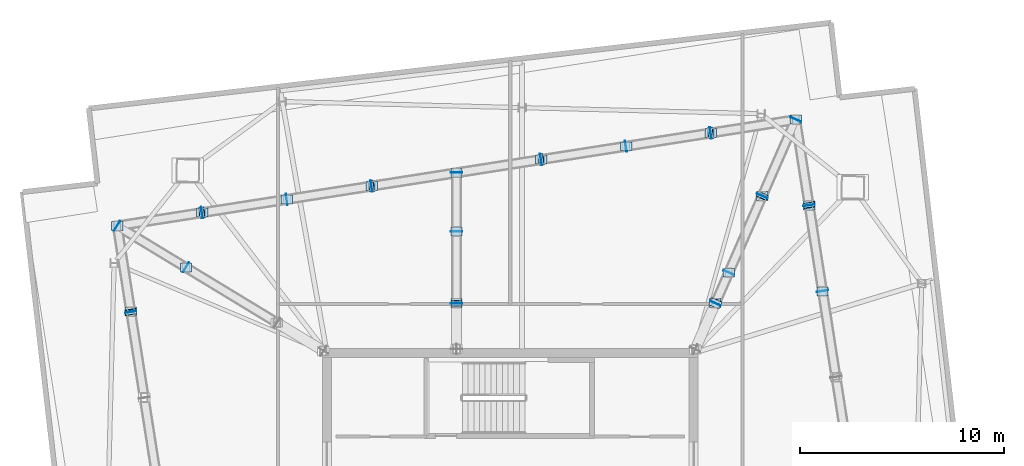
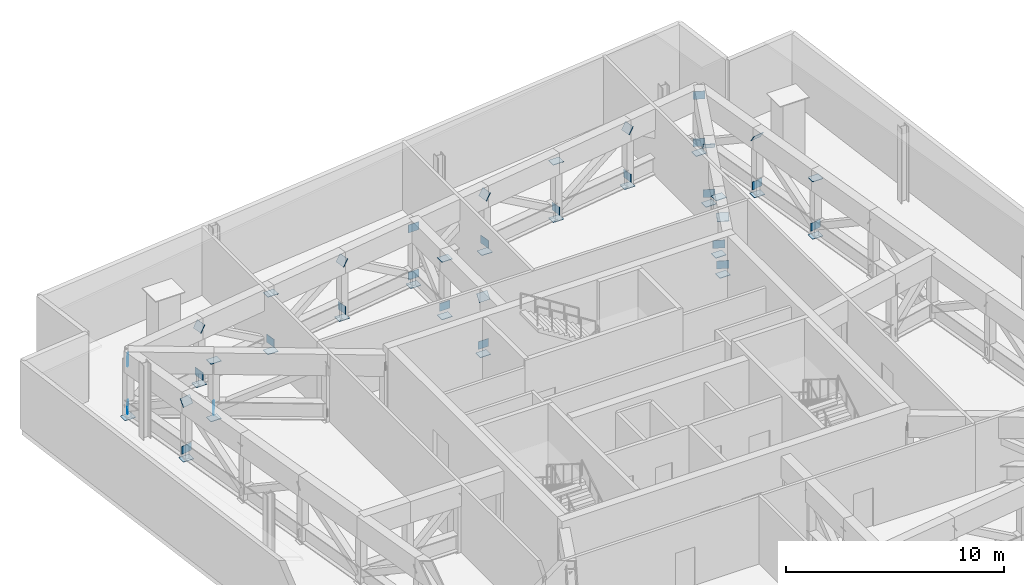
# One storey, part 8 of 13: 54 plates.
"""IFC4 building model written with IfcOpenShell, lengths in metres."""

from ifc_helpers import new_model, si_unit, direction, frame, origin, origin_2d, place, context, subcontext, project, spatial, rectangle, extrude, source, transform, mapped, material, layer, layer_set, type_object, element, save


model = new_model("IFC4")

# Units and contexts
model_context = context("Model", 3, precision=1e-05, world=origin(), true_north=direction((0.0, 1.0)))
body_context = subcontext(model_context, "Body", "Model", "MODEL_VIEW")
ifc_project = project(units=[si_unit("LENGTHUNIT", "METRE"), si_unit("AREAUNIT", "SQUARE_METRE"), si_unit("VOLUMEUNIT", "CUBIC_METRE"), si_unit("PLANEANGLEUNIT", "RADIAN"), si_unit("MASSUNIT", "GRAM", prefix="KILO")], contexts=[model_context])

# Site, building, storey
site_placement = place(None, origin())
site = spatial("IfcSite", under=ifc_project, at=site_placement, CompositionType="ELEMENT")
building_placement = place(site_placement, origin())
building = spatial("IfcBuilding", under=site, at=building_placement, Name="Haldenkirk Collegiate Tower", CompositionType="ELEMENT")
storey_placement = place(building_placement, frame((0.0, 0.0, 352.199951171875)))
storey = spatial("IfcBuildingStorey", under=building, at=storey_placement, Name="L89", CompositionType="ELEMENT", Elevation=352.199951171875)

# Plates
ifc_material = material(Name="Steel ASTM A572 Grade 50", Category="steel")
ifc_layer = layer(ifc_material, 0.028076171875)
ifc_layer_set = layer_set([ifc_layer], Name="Steel ASTM A572 Grade 50")
plate_type = type_object("IfcPlateType", Name="PLT-CAP-INT-560X440", PredefinedType="USERDEFINED", material=ifc_layer_set)
shared_shape = source(origin(), body_context, "Body", "SweptSolid", [
    extrude(rectangle(XDim=0.56005859375, YDim=0.43994140625, at=origin_2d()), origin(), (0.0, 0.0, 1.0), 0.028076171875),
])
for number, where, z_axis, x_axis, name in (
    (1, (46.072998046875, 36.452880859375, 0.550048828125), (-0.400762911974, -0.916181798764, 0.0), (0.916181798764, -0.400762911974, 0.0), "Outrigger Truss L89-3 bottom chord 2 end plate 1"),
    (2, (46.721923828125, 37.9365234375, 0.550048828125), (0.400762911974, 0.916181798764, 0.0), (-0.916181798764, 0.400762911974, 0.0), "Outrigger Truss L89-3 bottom chord 2 end plate 2"),
    (3, (46.072509765625, 36.451416015625, 3.197509765625), (-0.209531983222, -0.47905496164, 0.852409931744), (0.916195372761, -0.400731879105, -4.24091e-07), "Outrigger Truss L89-3 web diagonal 2 end cap plate 1"),
    (4, (48.364990234375, 41.692626953125, 0.550048828125), (0.400762911974, 0.916181798764, 0.0), (-0.916181798764, 0.400762911974, 0.0), "Outrigger Truss L89-3 bottom chord 3 end plate 2"),
    (5, (48.365478515625, 41.693359375, 3.198486328125), (0.336581008623, 0.769440019713, 0.542840013907), (-0.916178755051, 0.400769870116, -1.3463e-08), "Outrigger Truss L89-3 web diagonal 3 end cap plate 2"),
    (6, (50.008056640625, 45.44873046875, 3.199951171875), (0.400758820072, 0.916183588663, 0.0), (-0.916183588663, 0.400758820072, 0.0), "Outrigger Truss L89-3 top chord 4 end cap plate 2"),
    (7, (50.008056640625, 45.44873046875, 0.550048828125), (0.400762911974, 0.916181798764, 0.0), (-0.916181798764, 0.400762911974, 0.0), "Outrigger Truss L89-3 bottom chord 4 end plate 2"),
    (8, (46.07177734375, 36.449951171875, 0.0029296875), (0.0, 0.0, -1.0), (1.0, 0.0, 0.0), "Outrigger Truss L89-3 vertical post 2 end cap plate 1"),
    (9, (46.72314453125, 37.939208984375, 0.0029296875), (0.0, 0.0, -1.0), (1.0, 0.0, 0.0), "Outrigger Truss L89-3 vertical post 3 end cap plate 1"),
    (10, (46.72314453125, 37.939208984375, 3.19677734375), (0.0, 0.0, 1.0), (1.0, 0.0, 0.0), "Outrigger Truss L89-3 vertical post 3 end cap plate 2"),
    (11, (48.3662109375, 41.695556640625, 0.0029296875), (0.0, 0.0, -1.0), (1.0, 0.0, 0.0), "Outrigger Truss L89-3 vertical post 4 end cap plate 1"),
    (12, (50.00927734375, 45.45166015625, 0.0029296875), (0.0, 0.0, -1.0), (1.0, 0.0, 0.0), "Outrigger Truss L89-3 vertical post 5 end cap plate 1"),
    (13, (33.3623046875, 36.453125, 0.550048828125), (0.0, -1.0, 0.0), (1.0, 0.0, 0.0), "Outrigger Truss L89-4 bottom chord 2 end plate 1"),
    (14, (33.3623046875, 39.9599609375, 0.550048828125), (0.0, 1.0, 0.0), (-1.0, 0.0, 0.0), "Outrigger Truss L89-4 bottom chord 2 end plate 2"),
    (15, (33.3623046875, 36.452392578125, 3.197998046875), (0.0, -0.798341676277, 0.602204755809), (1.0, 0.0, 0.0), "Outrigger Truss L89-4 web diagonal 2 end cap plate 1"),
    (16, (33.3623046875, 42.841796875, 3.199951171875), (0.0, 1.0, 0.0), (-1.0, 0.0, 0.0), "Outrigger Truss L89-4 top chord 3 end cap plate 2"),
    (17, (33.3623046875, 42.841796875, 0.550048828125), (0.0, 1.0, 0.0), (-1.0, 0.0, 0.0), "Outrigger Truss L89-4 bottom chord 3 end plate 2"),
    (18, (33.3623046875, 36.449951171875, 0.0029296875), (0.0, 0.0, -1.0), (1.0, 0.0, 0.0), "Outrigger Truss L89-4 vertical post 2 end cap plate 1"),
    (19, (33.3623046875, 39.963134765625, 0.0029296875), (0.0, 0.0, -1.0), (1.0, 0.0, 0.0), "Outrigger Truss L89-4 vertical post 3 end cap plate 1"),
    (20, (33.3623046875, 39.963134765625, 3.19677734375), (0.0, 0.0, 1.0), (1.0, 0.0, 0.0), "Outrigger Truss L89-4 vertical post 3 end cap plate 2"),
    (21, (33.3623046875, 42.8447265625, 0.0029296875), (0.0, 0.0, -1.0), (1.0, 0.0, 0.0), "Outrigger Truss L89-4 vertical post 4 end cap plate 1"),
    (22, (20.0888671875, 38.19140625, 0.550048828125), (-0.855030507056, 0.518577701028, 0.0), (-0.518577701028, -0.855030507056, 0.0), "Outrigger Truss L89-5 bottom chord 2 end plate 2"),
    (23, (16.7177734375, 40.236083984375, 3.199951171875), (-0.855030507056, 0.518577701028, 0.0), (-0.518577701028, -0.855030507056, 0.0), "Outrigger Truss L89-5 top chord 3 end cap plate 2"),
    (24, (16.7177734375, 40.236083984375, 0.550048828125), (-0.855030507056, 0.518577701028, 0.0), (-0.518577701028, -0.855030507056, 0.0), "Outrigger Truss L89-5 bottom chord 3 end plate 2"),
    (25, (20.08642578125, 38.193115234375, 0.0029296875), (0.0, 0.0, -1.0), (1.0, 0.0, 0.0), "Outrigger Truss L89-5 vertical post 3 end cap plate 1"),
    (26, (20.08642578125, 38.193115234375, 3.19677734375), (0.0, 0.0, 1.0), (1.0, 0.0, 0.0), "Outrigger Truss L89-5 vertical post 3 end cap plate 2"),
    (27, (16.715087890625, 40.23779296875, 0.0029296875), (0.0, 0.0, -1.0), (1.0, 0.0, 0.0), "Outrigger Truss L89-5 vertical post 4 end cap plate 1"),
    (28, (51.32861328125, 37.026123046875, 0.550048828125), (-0.154709988729, 0.987959928027, 0.0), (-0.987959928027, -0.154709988729, 0.0), "Belt Truss L89-2 bottom chord 2 end plate 2"),
    (29, (50.669189453125, 41.2373046875, 0.550048828125), (-0.154709988729, 0.987959928027, 0.0), (-0.987959928027, -0.154709988729, 0.0), "Belt Truss L89-2 bottom chord 3 end plate 2"),
    (30, (50.66943359375, 41.23779296875, 3.198486328125), (-0.131378008656, 0.839032055279, 0.527982034786), (-0.987961865826, -0.154697613664, -3.89826e-07), "Belt Truss L89-2 web diagonal 3 end cap plate 2"),
    (31, (51.328125, 37.029296875, 0.0029296875), (0.0, 0.0, -1.0), (1.0, 0.0, 0.0), "Belt Truss L89-2 vertical post 3 end cap plate 1"),
    (32, (51.328125, 37.029296875, 3.19677734375), (0.0, 0.0, 1.0), (1.0, 0.0, 0.0), "Belt Truss L89-2 vertical post 3 end cap plate 2"),
    (33, (50.668701171875, 41.240478515625, 0.0029296875), (0.0, 0.0, -1.0), (1.0, 0.0, 0.0), "Belt Truss L89-2 vertical post 4 end cap plate 1"),
    (34, (45.8505859375, 44.80029296875, 0.550048828125), (-0.987959622331, -0.154711940858, 0.0), (0.154711940858, -0.987959622331, 0.0), "Belt Truss L89-3 bottom chord 1 end plate 2"),
    (35, (45.85009765625, 44.800537109375, 3.198486328125), (-0.836252637087, -0.130949943171, 0.532478768918), (0.154706045631, -0.98796054549, -7.2594e-08), "Belt Truss L89-3 web diagonal 1 end cap plate 2"),
    (36, (41.688720703125, 44.148681640625, 0.550048828125), (-0.987959622331, -0.154711940858, 0.0), (0.154711940858, -0.987959622331, 0.0), "Belt Truss L89-3 bottom chord 2 end plate 2"),
    (37, (37.527099609375, 43.496826171875, 0.550048828125), (-0.987959622331, -0.154711940858, 0.0), (0.154711940858, -0.987959622331, 0.0), "Belt Truss L89-3 bottom chord 3 end plate 2"),
    (38, (37.526611328125, 43.4970703125, 3.198486328125), (-0.836244705222, -0.130971953832, 0.532485812297), (0.154732668832, -0.98795637616, -3.79072e-07), "Belt Truss L89-3 web diagonal 3 end cap plate 2"),
    (39, (45.847412109375, 44.7998046875, 0.0029296875), (0.0, 0.0, -1.0), (1.0, 0.0, 0.0), "Belt Truss L89-3 vertical post 2 end cap plate 1"),
    (40, (41.685791015625, 44.148193359375, 0.0029296875), (0.0, 0.0, -1.0), (1.0, 0.0, 0.0), "Belt Truss L89-3 vertical post 3 end cap plate 1"),
    (41, (41.685791015625, 44.148193359375, 3.19677734375), (0.0, 0.0, 1.0), (1.0, 0.0, 0.0), "Belt Truss L89-3 vertical post 3 end cap plate 2"),
    (42, (37.52392578125, 43.496337890625, 0.0029296875), (0.0, 0.0, -1.0), (1.0, 0.0, 0.0), "Belt Truss L89-3 vertical post 4 end cap plate 1"),
    (43, (29.203369140625, 42.193603515625, 0.550048828125), (-0.987959622331, -0.154711940858, 0.0), (0.154711940858, -0.987959622331, 0.0), "Belt Truss L89-4 bottom chord 1 end plate 2"),
    (44, (29.202880859375, 42.193603515625, 3.198486328125), (-0.836252637087, -0.130949943171, 0.532478768918), (0.154706045631, -0.98796054549, -7.2594e-08), "Belt Truss L89-4 web diagonal 1 end cap plate 2"),
    (45, (25.041748046875, 41.541748046875, 0.550048828125), (-0.987959622331, -0.154711940858, 0.0), (0.154711940858, -0.987959622331, 0.0), "Belt Truss L89-4 bottom chord 2 end plate 2"),
    (46, (20.8798828125, 40.889892578125, 0.550048828125), (-0.987959622331, -0.154711940858, 0.0), (0.154711940858, -0.987959622331, 0.0), "Belt Truss L89-4 bottom chord 3 end plate 2"),
    (47, (20.87939453125, 40.89013671875, 3.198486328125), (-0.836250845506, -0.130968975804, 0.532476901627), (0.154728540358, -0.987957022749, 2.87881e-07), "Belt Truss L89-4 web diagonal 3 end cap plate 2"),
    (48, (29.200439453125, 42.193115234375, 0.0029296875), (0.0, 0.0, -1.0), (1.0, 0.0, 0.0), "Belt Truss L89-4 vertical post 2 end cap plate 1"),
    (49, (25.038818359375, 41.541259765625, 0.0029296875), (0.0, 0.0, -1.0), (1.0, 0.0, 0.0), "Belt Truss L89-4 vertical post 3 end cap plate 1"),
    (50, (25.038818359375, 41.541259765625, 3.19677734375), (0.0, 0.0, 1.0), (1.0, 0.0, 0.0), "Belt Truss L89-4 vertical post 3 end cap plate 2"),
    (51, (20.876953125, 40.889404296875, 0.0029296875), (0.0, 0.0, -1.0), (1.0, 0.0, 0.0), "Belt Truss L89-4 vertical post 4 end cap plate 1"),
    (52, (17.3740234375, 36.029541015625, 0.550048828125), (0.154709988729, -0.987959928027, 0.0), (0.987959928027, 0.154709988729, 0.0), "Belt Truss L89-5 bottom chord 1 end plate 2"),
    (53, (17.3740234375, 36.029052734375, 3.198486328125), (0.131378008656, -0.839032055279, 0.527982034786), (0.987961865826, 0.154697613664, -3.89826e-07), "Belt Truss L89-5 web diagonal 1 end cap plate 2"),
    (54, (17.37451171875, 36.026611328125, 0.0029296875), (0.0, 0.0, -1.0), (1.0, 0.0, 0.0), "Belt Truss L89-5 vertical post 2 end cap plate 1"),
):
    element("IfcPlate", number, at=place(storey_placement, frame(where, z_axis=z_axis, x_axis=x_axis)), inside=storey, type_object=plate_type, Name=name, ObjectType="END CAP PLATE", PredefinedType="USERDEFINED", context=body_context, shape_type="MappedRepresentation", body=[
        mapped(shared_shape, transform((0.0, 0.0, 0.0), x_axis=(1.0, 0.0, 0.0), y_axis=(0.0, 1.0, 0.0), z_axis=(0.0, 0.0, 1.0), scale=1.0)),
    ])

save(model, "model.ifc")
